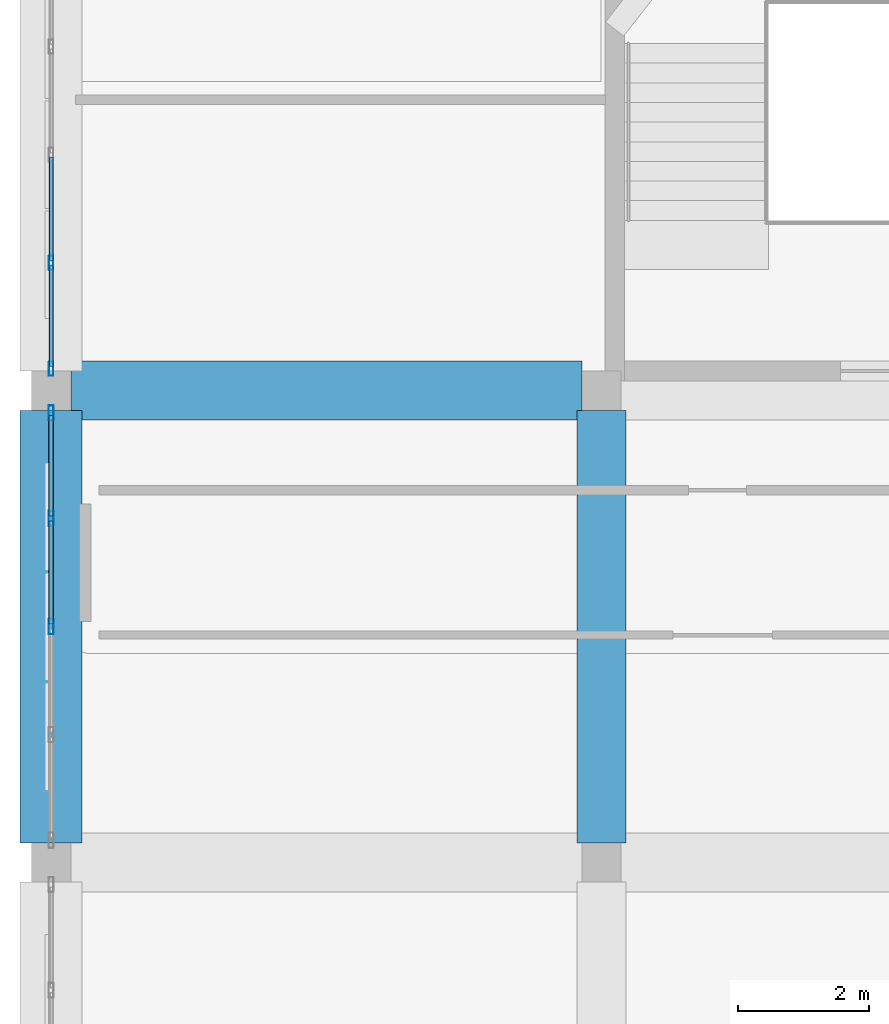
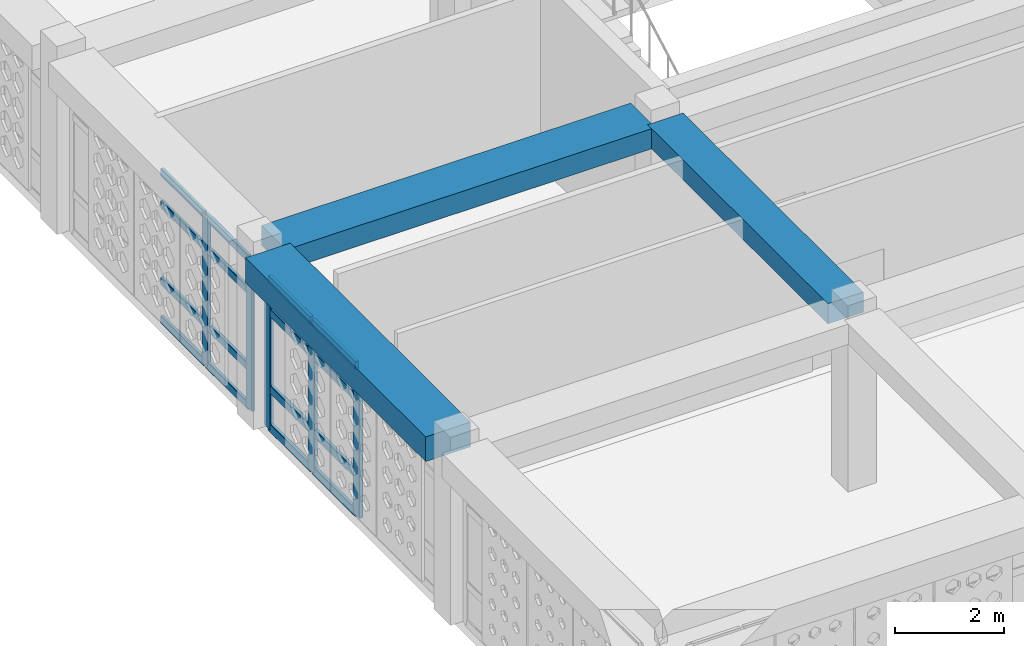
# One storey, part 6 of 48: 21 members, 3 beams, 2 elements without a shape of their own.
"""IFC4 building model written with IfcOpenShell, lengths in metres."""

from ifc_helpers import new_model, si_unit, derived_unit, direction, frame, origin, origin_2d, place, context, subcontext, project, spatial, rectangle, hollow_rectangle, extrude, material, material_profile, profile_set, type_object, element, aggregate, save


model = new_model("IFC4")

# Units and contexts
model_context = context("Model", 3, precision=1e-05, world=origin(), true_north=direction((0.0, 1.0)))
body_context = subcontext(model_context, "Body", "Model", "MODEL_VIEW")
ifc_project = project(units=[si_unit("LENGTHUNIT", "METRE"), si_unit("AREAUNIT", "SQUARE_METRE"), si_unit("VOLUMEUNIT", "CUBIC_METRE"), si_unit("PLANEANGLEUNIT", "RADIAN"), si_unit("MASSUNIT", "GRAM", prefix="KILO"), derived_unit("THERMALTRANSMITTANCEUNIT", [(si_unit("POWERUNIT", "WATT"), 1), (si_unit("LENGTHUNIT", "METRE"), -2), (si_unit("THERMODYNAMICTEMPERATUREUNIT", "KELVIN"), -1)])], contexts=[model_context])

# Site, building, storey
site_placement = place(None, origin())
site = spatial("IfcSite", under=ifc_project, at=site_placement, CompositionType="ELEMENT")
building_placement = place(site_placement, origin())
building = spatial("IfcBuilding", under=site, at=building_placement, Name="Veybourne Emporium", CompositionType="ELEMENT")
storey_placement = place(building_placement, frame((0.0, 0.0, 27.89990234375)))
storey = spatial("IfcBuildingStorey", under=building, at=storey_placement, Name="L06", CompositionType="ELEMENT", Elevation=27.89990234375)

# Curtain wall, members
ifc_material_1 = material(Name="Patinated Architectural Bronze", Category="bronze")
curtain_wall_type_1 = type_object("IfcCurtainWallType", Name="CWSystem_CWS-11", PredefinedType="NOTDEFINED", material=ifc_material_1)
curtain_wall_1_placement = place(storey_placement, origin())
curtain_wall_1 = element("IfcCurtainWall", 1, at=curtain_wall_1_placement, inside=storey, type_object=curtain_wall_type_1, Name="L06 bronze glazed curtain wall CWS-11 (003)", PredefinedType="NOTDEFINED")
ifc_material_profile_1 = material_profile(ifc_material_1, hollow_rectangle(XDim=0.077880859375, YDim=0.235107421875, WallThickness=0.0048828125, InnerFilletRadius=0.007568359375, OuterFilletRadius=0.012451171875, at=origin_2d()), Name="CWM 78x235x5")
ifc_profile_set_1 = profile_set([ifc_material_profile_1], Name="Patinated Architectural Bronze")
member_type_1 = type_object("IfcMemberType", Name="CWMullion_CW-M3", PredefinedType="MULLION", material=ifc_profile_set_1)
member_1_placement = place(storey_placement, frame((0.0, 25.199951171875, 0.0), z_axis=(0.0, 0.0, 1.0), x_axis=(-1.0, 0.0, 0.0)))
member_1 = element("IfcMember", 2, at=member_1_placement, type_object=member_type_1, Name="CWS-11 mullion 3", PredefinedType="MULLION", context=body_context, shape_type="SweptSolid", body=[
    extrude(hollow_rectangle(XDim=0.077880859375, YDim=0.235107421875, WallThickness=0.0048828125, InnerFilletRadius=0.007568359375, OuterFilletRadius=0.012451171875, at=origin_2d()), origin(), (0.0, 0.0, 1.0), 3.360107421875),
])
member_2_placement = place(storey_placement, frame((0.0, 26.85009765625, 0.0), z_axis=(0.0, 0.0, 1.0), x_axis=(-1.0, 0.0, 0.0)))
member_2 = element("IfcMember", 3, at=member_2_placement, type_object=member_type_1, Name="CWS-11 mullion 4", PredefinedType="MULLION", context=body_context, shape_type="SweptSolid", body=[
    extrude(hollow_rectangle(XDim=0.077880859375, YDim=0.235107421875, WallThickness=0.0048828125, InnerFilletRadius=0.007568359375, OuterFilletRadius=0.012451171875, at=origin_2d()), origin(), (0.0, 0.0, 1.0), 3.360107421875),
])
member_3_placement = place(storey_placement, frame((0.0, 28.4609375, 0.0), z_axis=(0.0, 0.0, 1.0), x_axis=(-1.0, 0.0, 0.0)))
member_3 = element("IfcMember", 4, at=member_3_placement, type_object=member_type_1, Name="CWS-11 mullion 5", PredefinedType="MULLION", context=body_context, shape_type="SweptSolid", body=[
    extrude(hollow_rectangle(XDim=0.077880859375, YDim=0.235107421875, WallThickness=0.0048828125, InnerFilletRadius=0.007568359375, OuterFilletRadius=0.012451171875, at=origin_2d()), origin(), (0.0, 0.0, 1.0), 3.360107421875),
])

curtain_wall_type_2 = type_object("IfcCurtainWallType", Name="CWSystem_CWS-12", PredefinedType="NOTDEFINED", material=ifc_material_1)
curtain_wall_2_placement = place(storey_placement, origin())
curtain_wall_2 = element("IfcCurtainWall", 5, at=curtain_wall_2_placement, inside=storey, type_object=curtain_wall_type_2, Name="L06 bronze glazed curtain wall CWS-12 (004)", PredefinedType="NOTDEFINED")
ifc_material_profile_2 = material_profile(ifc_material_1, hollow_rectangle(XDim=0.070068359375, YDim=0.219970703125, WallThickness=0.0048828125, InnerFilletRadius=0.007568359375, OuterFilletRadius=0.012451171875, at=origin_2d()), Name="CWM 70x220x5")
ifc_profile_set_2 = profile_set([ifc_material_profile_2], Name="Patinated Architectural Bronze")
member_type_2 = type_object("IfcMemberType", Name="CWMullion_CW-M4", PredefinedType="MULLION", material=ifc_profile_set_2)
member_4_placement = place(storey_placement, frame((0.0, 29.135009765625, 0.0), z_axis=(0.0, 0.0, 1.0), x_axis=(-1.0, 0.0, 0.0)))
member_4 = element("IfcMember", 6, at=member_4_placement, type_object=member_type_2, Name="CWS-12 mullion 1", PredefinedType="MULLION", context=body_context, shape_type="SweptSolid", body=[
    extrude(hollow_rectangle(XDim=0.070068359375, YDim=0.219970703125, WallThickness=0.0048828125, InnerFilletRadius=0.007568359375, OuterFilletRadius=0.012451171875, at=origin_2d()), origin(), (0.0, 0.0, 1.0), 3.360107421875),
])
member_5_placement = place(storey_placement, frame((0.0, 30.75, 0.0), z_axis=(0.0, 0.0, 1.0), x_axis=(-1.0, 0.0, 0.0)))
member_5 = element("IfcMember", 7, at=member_5_placement, type_object=member_type_2, Name="CWS-12 mullion 2", PredefinedType="MULLION", context=body_context, shape_type="SweptSolid", body=[
    extrude(hollow_rectangle(XDim=0.070068359375, YDim=0.219970703125, WallThickness=0.0048828125, InnerFilletRadius=0.007568359375, OuterFilletRadius=0.012451171875, at=origin_2d()), origin(), (0.0, 0.0, 1.0), 3.360107421875),
])

# Member
ifc_material_profile_3 = material_profile(ifc_material_1, hollow_rectangle(XDim=0.077880859375, YDim=0.18505859375, WallThickness=0.0048828125, InnerFilletRadius=0.007568359375, OuterFilletRadius=0.012451171875, at=origin_2d()), Name="CWT 78x185x5")
ifc_profile_set_3 = profile_set([ifc_material_profile_3], Name="Patinated Architectural Bronze")
member_type_3 = type_object("IfcMemberType", Name="CWTransom_CW-T3", PredefinedType="NOTDEFINED", material=ifc_profile_set_3)
member_6_placement = place(storey_placement, frame((0.0, 25.239013671875, 0.0390625), z_axis=(0.0, 1.0, 0.0), x_axis=(-1.0, 0.0, 0.0)))
member_6 = element("IfcMember", 8, at=member_6_placement, type_object=member_type_3, Name="CWS-11 transom 3.1", ObjectType="TRANSOM", PredefinedType="USERDEFINED", context=body_context, shape_type="SweptSolid", body=[
    extrude(hollow_rectangle(XDim=0.077880859375, YDim=0.18505859375, WallThickness=0.0048828125, InnerFilletRadius=0.007568359375, OuterFilletRadius=0.012451171875, at=origin_2d()), origin(), (0.0, 0.0, 1.0), 1.572021484375),
])

member_7_placement = place(storey_placement, frame((0.0, 25.239013671875, 0.900146484375), z_axis=(0.0, 1.0, 0.0), x_axis=(-1.0, 0.0, 0.0)))
member_7 = element("IfcMember", 9, at=member_7_placement, type_object=member_type_3, Name="CWS-11 transom 3.2", ObjectType="TRANSOM", PredefinedType="USERDEFINED", context=body_context, shape_type="SweptSolid", body=[
    extrude(hollow_rectangle(XDim=0.077880859375, YDim=0.18505859375, WallThickness=0.0048828125, InnerFilletRadius=0.007568359375, OuterFilletRadius=0.012451171875, at=origin_2d()), origin(), (0.0, 0.0, 1.0), 1.572021484375),
])

member_8_placement = place(storey_placement, frame((0.0, 25.239013671875, 2.610107421875), z_axis=(0.0, 1.0, 0.0), x_axis=(-1.0, 0.0, 0.0)))
member_8 = element("IfcMember", 10, at=member_8_placement, type_object=member_type_3, Name="CWS-11 transom 3.3", ObjectType="TRANSOM", PredefinedType="USERDEFINED", context=body_context, shape_type="SweptSolid", body=[
    extrude(hollow_rectangle(XDim=0.077880859375, YDim=0.18505859375, WallThickness=0.0048828125, InnerFilletRadius=0.007568359375, OuterFilletRadius=0.012451171875, at=origin_2d()), origin(), (0.0, 0.0, 1.0), 1.572021484375),
])

member_9_placement = place(storey_placement, frame((0.0, 25.239013671875, 3.321044921875), z_axis=(0.0, 1.0, 0.0), x_axis=(-1.0, 0.0, 0.0)))
member_9 = element("IfcMember", 11, at=member_9_placement, type_object=member_type_3, Name="CWS-11 transom 3.4", ObjectType="TRANSOM", PredefinedType="USERDEFINED", context=body_context, shape_type="SweptSolid", body=[
    extrude(hollow_rectangle(XDim=0.077880859375, YDim=0.18505859375, WallThickness=0.0048828125, InnerFilletRadius=0.007568359375, OuterFilletRadius=0.012451171875, at=origin_2d()), origin(), (0.0, 0.0, 1.0), 1.572021484375),
])

member_10_placement = place(storey_placement, frame((0.0, 26.888916015625, 0.0390625), z_axis=(0.0, 1.0, 0.0), x_axis=(-1.0, 0.0, 0.0)))
member_10 = element("IfcMember", 12, at=member_10_placement, type_object=member_type_3, Name="CWS-11 transom 4.1", ObjectType="TRANSOM", PredefinedType="USERDEFINED", context=body_context, shape_type="SweptSolid", body=[
    extrude(hollow_rectangle(XDim=0.077880859375, YDim=0.18505859375, WallThickness=0.0048828125, InnerFilletRadius=0.007568359375, OuterFilletRadius=0.012451171875, at=origin_2d()), origin(), (0.0, 0.0, 1.0), 1.533203125),
])

member_11_placement = place(storey_placement, frame((0.0, 26.888916015625, 0.900146484375), z_axis=(0.0, 1.0, 0.0), x_axis=(-1.0, 0.0, 0.0)))
member_11 = element("IfcMember", 13, at=member_11_placement, type_object=member_type_3, Name="CWS-11 transom 4.2", ObjectType="TRANSOM", PredefinedType="USERDEFINED", context=body_context, shape_type="SweptSolid", body=[
    extrude(hollow_rectangle(XDim=0.077880859375, YDim=0.18505859375, WallThickness=0.0048828125, InnerFilletRadius=0.007568359375, OuterFilletRadius=0.012451171875, at=origin_2d()), origin(), (0.0, 0.0, 1.0), 1.533203125),
])

member_12_placement = place(storey_placement, frame((0.0, 26.888916015625, 2.610107421875), z_axis=(0.0, 1.0, 0.0), x_axis=(-1.0, 0.0, 0.0)))
member_12 = element("IfcMember", 14, at=member_12_placement, type_object=member_type_3, Name="CWS-11 transom 4.3", ObjectType="TRANSOM", PredefinedType="USERDEFINED", context=body_context, shape_type="SweptSolid", body=[
    extrude(hollow_rectangle(XDim=0.077880859375, YDim=0.18505859375, WallThickness=0.0048828125, InnerFilletRadius=0.007568359375, OuterFilletRadius=0.012451171875, at=origin_2d()), origin(), (0.0, 0.0, 1.0), 1.533203125),
])

member_13_placement = place(storey_placement, frame((0.0, 26.888916015625, 3.321044921875), z_axis=(0.0, 1.0, 0.0), x_axis=(-1.0, 0.0, 0.0)))
member_13 = element("IfcMember", 15, at=member_13_placement, type_object=member_type_3, Name="CWS-11 transom 4.4", ObjectType="TRANSOM", PredefinedType="USERDEFINED", context=body_context, shape_type="SweptSolid", body=[
    extrude(hollow_rectangle(XDim=0.077880859375, YDim=0.18505859375, WallThickness=0.0048828125, InnerFilletRadius=0.007568359375, OuterFilletRadius=0.012451171875, at=origin_2d()), origin(), (0.0, 0.0, 1.0), 1.533203125),
])

aggregate(curtain_wall_1, [member_1, member_2, member_3, member_6, member_7, member_8, member_9, member_10, member_11, member_12, member_13])

ifc_material_profile_4 = material_profile(ifc_material_1, hollow_rectangle(XDim=0.070068359375, YDim=0.169921875, WallThickness=0.0048828125, InnerFilletRadius=0.007568359375, OuterFilletRadius=0.012451171875, at=origin_2d()), Name="CWT 70x170x5")
ifc_profile_set_4 = profile_set([ifc_material_profile_4], Name="Patinated Architectural Bronze")
member_type_4 = type_object("IfcMemberType", Name="CWTransom_CW-T4", PredefinedType="NOTDEFINED", material=ifc_profile_set_4)
member_14_placement = place(storey_placement, frame((0.0, 29.169921875, 0.03515625), z_axis=(0.0, 1.0, 0.0), x_axis=(-1.0, 0.0, 0.0)))
member_14 = element("IfcMember", 16, at=member_14_placement, type_object=member_type_4, Name="CWS-12 transom 1.1", ObjectType="TRANSOM", PredefinedType="USERDEFINED", context=body_context, shape_type="SweptSolid", body=[
    extrude(hollow_rectangle(XDim=0.070068359375, YDim=0.169921875, WallThickness=0.0048828125, InnerFilletRadius=0.007568359375, OuterFilletRadius=0.012451171875, at=origin_2d()), origin(), (0.0, 0.0, 1.0), 1.545166015625),
])

member_15_placement = place(storey_placement, frame((0.0, 29.169921875, 0.900146484375), z_axis=(0.0, 1.0, 0.0), x_axis=(-1.0, 0.0, 0.0)))
member_15 = element("IfcMember", 17, at=member_15_placement, type_object=member_type_4, Name="CWS-12 transom 1.2", ObjectType="TRANSOM", PredefinedType="USERDEFINED", context=body_context, shape_type="SweptSolid", body=[
    extrude(hollow_rectangle(XDim=0.070068359375, YDim=0.169921875, WallThickness=0.0048828125, InnerFilletRadius=0.007568359375, OuterFilletRadius=0.012451171875, at=origin_2d()), origin(), (0.0, 0.0, 1.0), 1.545166015625),
])

member_16_placement = place(storey_placement, frame((0.0, 29.169921875, 2.610107421875), z_axis=(0.0, 1.0, 0.0), x_axis=(-1.0, 0.0, 0.0)))
member_16 = element("IfcMember", 18, at=member_16_placement, type_object=member_type_4, Name="CWS-12 transom 1.3", ObjectType="TRANSOM", PredefinedType="USERDEFINED", context=body_context, shape_type="SweptSolid", body=[
    extrude(hollow_rectangle(XDim=0.070068359375, YDim=0.169921875, WallThickness=0.0048828125, InnerFilletRadius=0.007568359375, OuterFilletRadius=0.012451171875, at=origin_2d()), origin(), (0.0, 0.0, 1.0), 1.545166015625),
])

member_17_placement = place(storey_placement, frame((0.0, 29.169921875, 3.3251953125), z_axis=(0.0, 1.0, 0.0), x_axis=(-1.0, 0.0, 0.0)))
member_17 = element("IfcMember", 19, at=member_17_placement, type_object=member_type_4, Name="CWS-12 transom 1.4", ObjectType="TRANSOM", PredefinedType="USERDEFINED", context=body_context, shape_type="SweptSolid", body=[
    extrude(hollow_rectangle(XDim=0.070068359375, YDim=0.169921875, WallThickness=0.0048828125, InnerFilletRadius=0.007568359375, OuterFilletRadius=0.012451171875, at=origin_2d()), origin(), (0.0, 0.0, 1.0), 1.545166015625),
])

member_18_placement = place(storey_placement, frame((0.0, 30.784912109375, 0.03515625), z_axis=(0.0, 1.0, 0.0), x_axis=(-1.0, 0.0, 0.0)))
member_18 = element("IfcMember", 20, at=member_18_placement, type_object=member_type_4, Name="CWS-12 transom 2.1", ObjectType="TRANSOM", PredefinedType="USERDEFINED", context=body_context, shape_type="SweptSolid", body=[
    extrude(hollow_rectangle(XDim=0.070068359375, YDim=0.169921875, WallThickness=0.0048828125, InnerFilletRadius=0.007568359375, OuterFilletRadius=0.012451171875, at=origin_2d()), origin(), (0.0, 0.0, 1.0), 1.580078125),
])

member_19_placement = place(storey_placement, frame((0.0, 30.784912109375, 0.900146484375), z_axis=(0.0, 1.0, 0.0), x_axis=(-1.0, 0.0, 0.0)))
member_19 = element("IfcMember", 21, at=member_19_placement, type_object=member_type_4, Name="CWS-12 transom 2.2", ObjectType="TRANSOM", PredefinedType="USERDEFINED", context=body_context, shape_type="SweptSolid", body=[
    extrude(hollow_rectangle(XDim=0.070068359375, YDim=0.169921875, WallThickness=0.0048828125, InnerFilletRadius=0.007568359375, OuterFilletRadius=0.012451171875, at=origin_2d()), origin(), (0.0, 0.0, 1.0), 1.580078125),
])

member_20_placement = place(storey_placement, frame((0.0, 30.784912109375, 2.610107421875), z_axis=(0.0, 1.0, 0.0), x_axis=(-1.0, 0.0, 0.0)))
member_20 = element("IfcMember", 22, at=member_20_placement, type_object=member_type_4, Name="CWS-12 transom 2.3", ObjectType="TRANSOM", PredefinedType="USERDEFINED", context=body_context, shape_type="SweptSolid", body=[
    extrude(hollow_rectangle(XDim=0.070068359375, YDim=0.169921875, WallThickness=0.0048828125, InnerFilletRadius=0.007568359375, OuterFilletRadius=0.012451171875, at=origin_2d()), origin(), (0.0, 0.0, 1.0), 1.580078125),
])

member_21_placement = place(storey_placement, frame((0.0, 30.784912109375, 3.3251953125), z_axis=(0.0, 1.0, 0.0), x_axis=(-1.0, 0.0, 0.0)))
member_21 = element("IfcMember", 23, at=member_21_placement, type_object=member_type_4, Name="CWS-12 transom 2.4", ObjectType="TRANSOM", PredefinedType="USERDEFINED", context=body_context, shape_type="SweptSolid", body=[
    extrude(hollow_rectangle(XDim=0.070068359375, YDim=0.169921875, WallThickness=0.0048828125, InnerFilletRadius=0.007568359375, OuterFilletRadius=0.012451171875, at=origin_2d()), origin(), (0.0, 0.0, 1.0), 1.580078125),
])

aggregate(curtain_wall_2, [member_4, member_5, member_14, member_15, member_16, member_17, member_18, member_19, member_20, member_21])

# Beams
ifc_material_2 = material(Name="Concrete C32/40", Category="concrete")
ifc_material_profile_5 = material_profile(ifc_material_2, rectangle(XDim=0.89990234375, YDim=0.449951171875, at=origin_2d()), Name="RC 900x450")
ifc_profile_set_5 = profile_set([ifc_material_profile_5], Name="Concrete C32/40")
beam_type_1 = type_object("IfcBeamType", Name="RCBeam_BB-03", PredefinedType="BEAM", material=ifc_profile_set_5)
beam_1_placement = place(storey_placement, frame((0.300048828125, 28.800048828125, 3.68505859375), z_axis=(1.0, 0.0, 0.0), x_axis=(0.0, 1.0, 0.0)))
element("IfcBeam", 24, at=beam_1_placement, inside=storey, type_object=beam_type_1, Name="L06 X-grid beam BB-03 (0,4)", PredefinedType="BEAM", context=body_context, shape_type="SweptSolid", body=[
    extrude(rectangle(XDim=0.89990234375, YDim=0.449951171875, at=origin_2d()), origin(), (0.0, 0.0, 1.0), 7.800048828125),
])
ifc_material_profile_6 = material_profile(ifc_material_2, rectangle(XDim=0.75, YDim=0.449951171875, at=origin_2d()), Name="RC 750x450")
ifc_profile_set_6 = profile_set([ifc_material_profile_6], Name="Concrete C32/40")
beam_type_2 = type_object("IfcBeamType", Name="RCBeam_BB-04", PredefinedType="BEAM", material=ifc_profile_set_6)
beam_2_placement = place(storey_placement, frame((8.39990234375, 21.89990234375, 3.68505859375), z_axis=(0.0, 1.0, 0.0), x_axis=(-1.0, 0.0, 0.0)))
element("IfcBeam", 25, at=beam_2_placement, inside=storey, type_object=beam_type_2, Name="L06 Y-grid beam BB-04 (1,3)", PredefinedType="BEAM", context=body_context, shape_type="SweptSolid", body=[
    extrude(rectangle(XDim=0.75, YDim=0.449951171875, at=origin_2d()), origin(), (0.0, 0.0, 1.0), 6.60009765625),
])
ifc_material_profile_7 = material_profile(ifc_material_2, rectangle(XDim=0.949951171875, YDim=0.550048828125, at=origin_2d()), Name="RC 950x550")
ifc_profile_set_7 = profile_set([ifc_material_profile_7], Name="Concrete C32/40")
beam_type_3 = type_object("IfcBeamType", Name="RCBeam_EB-01", PredefinedType="SPANDREL", material=ifc_profile_set_7)
beam_3_placement = place(storey_placement, frame((0.0, 21.89990234375, 3.635009765625), z_axis=(0.0, 1.0, 0.0), x_axis=(-1.0, 0.0, 0.0)))
element("IfcBeam", 26, at=beam_3_placement, inside=storey, type_object=beam_type_3, Name="L06 Y-grid beam EB-01 (0,3)", PredefinedType="SPANDREL", context=body_context, shape_type="SweptSolid", body=[
    extrude(rectangle(XDim=0.949951171875, YDim=0.550048828125, at=origin_2d()), origin(), (0.0, 0.0, 1.0), 6.60009765625),
])

save(model, "model.ifc")
